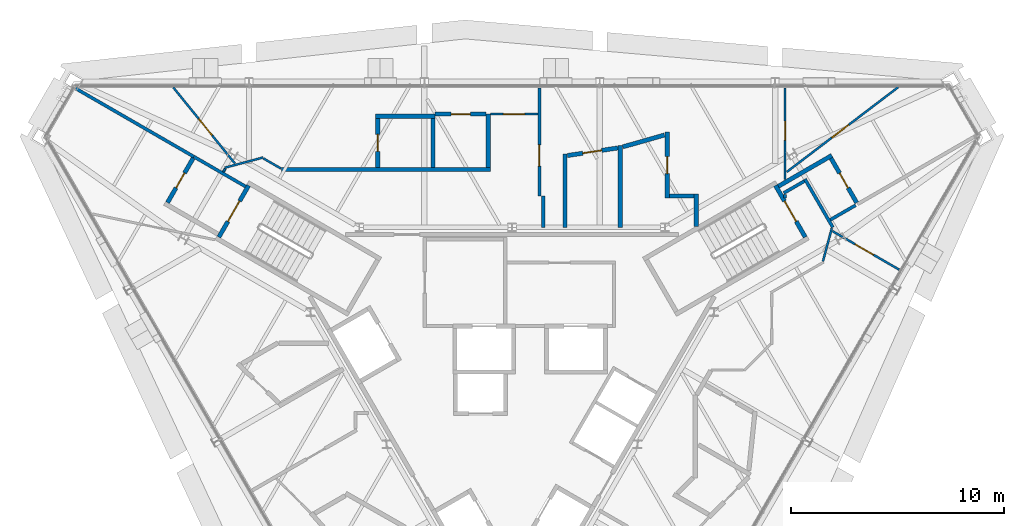
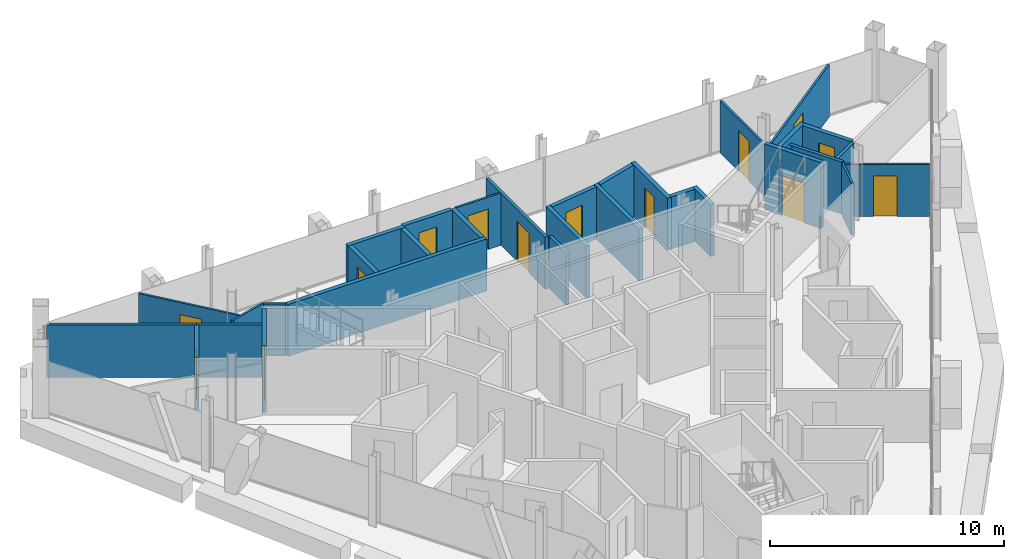
# One storey, part 10 of 13: 35 walls, 14 doors, 14 openings.
"""IFC4 building model written with IfcOpenShell, lengths in metres."""

from ifc_helpers import new_model, si_unit, direction, frame, frame_2d, origin, place, context, subcontext, project, spatial, rectangle, extrude, material, layer, layer_set, type_object, element, fill, save


model = new_model("IFC4")

# Units and contexts
model_context = context("Model", 3, precision=1e-05, world=origin(), true_north=direction((0.0, 1.0)))
body_context = subcontext(model_context, "Body", "Model", "MODEL_VIEW")
ifc_project = project(units=[si_unit("LENGTHUNIT", "METRE"), si_unit("AREAUNIT", "SQUARE_METRE"), si_unit("VOLUMEUNIT", "CUBIC_METRE"), si_unit("PLANEANGLEUNIT", "RADIAN"), si_unit("MASSUNIT", "GRAM", prefix="KILO")], contexts=[model_context])

# Site, building, storey
site_placement = place(None, origin())
site = spatial("IfcSite", under=ifc_project, at=site_placement, CompositionType="ELEMENT")
building_placement = place(site_placement, origin())
building = spatial("IfcBuilding", under=site, at=building_placement, Name="Verrane Prism Tower", CompositionType="ELEMENT")
storey_placement = place(building_placement, frame((0.0, 0.0, 289.89990234375)))
storey = spatial("IfcBuildingStorey", under=building, at=storey_placement, Name="L73", CompositionType="ELEMENT", Elevation=289.89990234375)

# Wall, opening, door
ifc_material_1 = material(Name="Concrete C40/50", Category="concrete")
ifc_layer_1 = layer(ifc_material_1, 0.199951171875)
ifc_layer_set_1 = layer_set([ifc_layer_1], Name="CW-200 stair core wall concrete C40/50 3 h")
wall_type_1 = type_object("IfcWallType", Name="CW-200 stair core wall concrete C40/50 3 h", PredefinedType="PARTITIONING", material=ifc_layer_set_1)
wall_1_placement = place(storey_placement, frame((13.777099609375, 6.337646484375, 0.0), z_axis=(0.0, 0.0, 1.0), x_axis=(-0.500049511043, 0.865996816683, 0.0)))
wall_1 = element("IfcWall", 1, at=wall_1_placement, inside=storey, type_object=wall_type_1, Name="Stair 1 enclosure wall", PredefinedType="PARTITIONING", context=body_context, shape_type="SweptSolid", body=[
    extrude(rectangle(XDim=2.800048828125, YDim=0.199951171875, at=frame_2d((1.39990234375, 0.0))), origin(), (0.0, 0.0, 1.0), 3.4501953125),
])
opening_1_placement = place(wall_1_placement, frame((0.849853515625, 0.0, 0.0)))
opening_1 = element("IfcOpeningElement", 2, at=opening_1_placement, cuts=wall_1, Name="Opening D72500", PredefinedType="OPENING", context=body_context, shape_type="SweptSolid", body=[
    extrude(rectangle(XDim=1.10009765625, YDim=2.10009765625, at=frame_2d((0.550048828125, 1.050048828125))), frame((0.0, 0.10986328125, 0.0), z_axis=(0.0, -1.0, 0.0), x_axis=(1.0, 0.0, 0.0)), (0.0, 0.0, 1.0), 0.219970703125),
])
ifc_material_2 = material(Name="Timber veneered door leaf", Category="wood")
door_type_1 = type_object("IfcDoorType", Name="DR-1100x2100 FD90 single leaf stair", OperationType="NOTDEFINED", PredefinedType="DOOR", material=ifc_material_2)
door_1_placement = place(opening_1_placement, origin())
door_1 = element("IfcDoor", 3, at=door_1_placement, inside=storey, type_object=door_type_1, Name="Stair 1 door", OperationType="SINGLE_SWING_LEFT", OverallHeight=2.10009765625, OverallWidth=1.10009765625, PredefinedType="DOOR", context=body_context, shape_type="SweptSolid", body=[
    extrude(rectangle(XDim=1.10009765625, YDim=2.10009765625, at=frame_2d((0.550048828125, 1.050048828125))), frame((0.0, 0.02490234375, 0.0), z_axis=(0.0, -1.0, 0.0), x_axis=(1.0, 0.0, 0.0)), (0.0, 0.0, 1.0), 0.050048828125),
])
fill(opening_1, door_1)

wall_2_placement = place(storey_placement, frame((-12.376953125, 8.762451171875, 0.0), z_axis=(0.0, 0.0, 1.0), x_axis=(-0.500049511043, -0.865996816683, 0.0)))
wall_2 = element("IfcWall", 4, at=wall_2_placement, inside=storey, type_object=wall_type_1, Name="Stair 2 enclosure wall", PredefinedType="PARTITIONING", context=body_context, shape_type="SweptSolid", body=[
    extrude(rectangle(XDim=2.800048828125, YDim=0.199951171875, at=frame_2d((1.39990234375, 0.0))), origin(), (0.0, 0.0, 1.0), 3.4501953125),
])
opening_2_placement = place(wall_2_placement, frame((0.849853515625, 0.0, 0.0)))
opening_2 = element("IfcOpeningElement", 5, at=opening_2_placement, cuts=wall_2, Name="Opening D72501", PredefinedType="OPENING", context=body_context, shape_type="SweptSolid", body=[
    extrude(rectangle(XDim=1.10009765625, YDim=2.10009765625, at=frame_2d((0.550048828125, 1.050048828125))), frame((0.0, 0.10986328125, 0.0), z_axis=(0.0, -1.0, 0.0), x_axis=(1.0, 0.0, 0.0)), (0.0, 0.0, 1.0), 0.219970703125),
])
door_2_placement = place(opening_2_placement, origin())
door_2 = element("IfcDoor", 6, at=door_2_placement, inside=storey, type_object=door_type_1, Name="Stair 2 door", OperationType="SINGLE_SWING_RIGHT", OverallHeight=2.10009765625, OverallWidth=1.10009765625, PredefinedType="DOOR", context=body_context, shape_type="SweptSolid", body=[
    extrude(rectangle(XDim=1.10009765625, YDim=2.10009765625, at=frame_2d((0.550048828125, 1.050048828125))), frame((0.0, 0.02490234375, 0.0), z_axis=(0.0, -1.0, 0.0), x_axis=(1.0, 0.0, 0.0)), (0.0, 0.0, 1.0), 0.050048828125),
])
fill(opening_2, door_2)

ifc_material_3 = material(Name="Gypsum board partition", Category="other")
ifc_layer_2 = layer(ifc_material_3, 0.10009765625)
ifc_layer_set_2 = layer_set([ifc_layer_2], Name="PW-100 room partition")
wall_type_2 = type_object("IfcWallType", Name="PW-100 room partition", PredefinedType="PARTITIONING", material=ifc_layer_set_2)
wall_3_placement = place(storey_placement, frame((-13.021484375, 9.796875, 0.0), z_axis=(0.0, 0.0, 1.0), x_axis=(-0.629738754572, 0.776806990822, 0.0)))
wall_3 = element("IfcWall", 7, at=wall_3_placement, inside=storey, type_object=wall_type_2, Name="Room partition 005", PredefinedType="PARTITIONING", context=body_context, shape_type="SweptSolid", body=[
    extrude(rectangle(XDim=4.598388671875, YDim=0.10009765625, at=frame_2d((2.29931640625, 0.0))), origin(), (0.0, 0.0, 1.0), 2.72314453125),
])
opening_3_placement = place(wall_3_placement, frame((1.705810546875, 0.0, 0.0)))
opening_3 = element("IfcOpeningElement", 8, at=opening_3_placement, cuts=wall_3, Name="Opening D72017", PredefinedType="OPENING", context=body_context, shape_type="SweptSolid", body=[
    extrude(rectangle(XDim=1.0, YDim=2.10009765625, at=frame_2d((0.5, 1.050048828125))), frame((0.0, 0.06005859375, 0.0), z_axis=(0.0, -1.0, 0.0), x_axis=(1.0, 0.0, 0.0)), (0.0, 0.0, 1.0), 0.1201171875),
])
ifc_material_4 = material(Name="Timber veneered door leaf", Category="wood")
door_type_2 = type_object("IfcDoorType", Name="DR-1000x2100 single leaf inner", OperationType="NOTDEFINED", PredefinedType="DOOR", material=ifc_material_4)
door_3_placement = place(opening_3_placement, origin())
door_3 = element("IfcDoor", 9, at=door_3_placement, inside=storey, type_object=door_type_2, Name="Living And Dining Room door", OperationType="SINGLE_SWING_RIGHT", OverallHeight=2.10009765625, OverallWidth=1.0, PredefinedType="DOOR", context=body_context, shape_type="SweptSolid", body=[
    extrude(rectangle(XDim=1.0, YDim=2.10009765625, at=frame_2d((0.5, 1.050048828125))), frame((0.0, 0.02490234375, 0.0), z_axis=(0.0, -1.0, 0.0), x_axis=(1.0, 0.0, 0.0)), (0.0, 0.0, 1.0), 0.050048828125),
])
fill(opening_3, door_3)

# Walls
wall_4_placement = place(storey_placement, frame((-13.5654296875, 9.404052734375, 0.0), z_axis=(0.0, 0.0, 1.0), x_axis=(0.500181256421, 0.865920730047, 0.0)))
element("IfcWall", 10, at=wall_4_placement, inside=storey, type_object=wall_type_2, Name="Room partition 007", PredefinedType="PARTITIONING", context=body_context, shape_type="SweptSolid", body=[
    extrude(rectangle(XDim=0.1689453125, YDim=0.10009765625, at=frame_2d((0.08447265625, 0.0))), origin(), (0.0, 0.0, 1.0), 2.72314453125),
])
wall_5_placement = place(storey_placement, frame((-13.494384765625, 9.59814453125, 0.0), z_axis=(0.0, 0.0, 1.0), x_axis=(0.96601104623, 0.258500790254, 0.0)))
element("IfcWall", 11, at=wall_5_placement, inside=storey, type_object=wall_type_2, Name="Room partition 008", PredefinedType="PARTITIONING", context=body_context, shape_type="SweptSolid", body=[
    extrude(rectangle(XDim=1.8671875, YDim=0.10009765625, at=frame_2d((0.93359375, 0.0))), origin(), (0.0, 0.0, 1.0), 2.72314453125),
])
wall_6_placement = place(storey_placement, frame((-11.678466796875, 10.032958984375, 0.0), z_axis=(0.0, 0.0, 1.0), x_axis=(0.866116627388, -0.499841962787, 0.0)))
element("IfcWall", 12, at=wall_6_placement, inside=storey, type_object=wall_type_2, Name="Room partition 012", PredefinedType="PARTITIONING", context=body_context, shape_type="SweptSolid", body=[
    extrude(rectangle(XDim=0.943115234375, YDim=0.10009765625, at=frame_2d((0.4716796875, 0.0))), origin(), (0.0, 0.0, 1.0), 2.72314453125),
])

# Wall, opening, door
wall_7_placement = place(storey_placement, frame((-1.013916015625, 12.118896484375, 0.0), z_axis=(0.0, 0.0, 1.0), x_axis=(1.0, 0.0, 0.0)))
wall_7 = element("IfcWall", 13, at=wall_7_placement, inside=storey, type_object=wall_type_2, Name="Room partition 040", PredefinedType="PARTITIONING", context=body_context, shape_type="SweptSolid", body=[
    extrude(rectangle(XDim=2.224853515625, YDim=0.10009765625, at=frame_2d((1.1123046875, 0.0))), origin(), (0.0, 0.0, 1.0), 2.72314453125),
])
opening_4_placement = place(wall_7_placement, frame((0.60498046875, 0.0, 0.0)))
opening_4 = element("IfcOpeningElement", 14, at=opening_4_placement, cuts=wall_7, Name="Opening D72015", PredefinedType="OPENING", context=body_context, shape_type="SweptSolid", body=[
    extrude(rectangle(XDim=1.0, YDim=2.10009765625, at=frame_2d((0.5, 1.050048828125))), frame((0.0, 0.06005859375, 0.0), z_axis=(0.0, -1.0, 0.0), x_axis=(1.0, 0.0, 0.0)), (0.0, 0.0, 1.0), 0.1201171875),
])
door_4_placement = place(opening_4_placement, origin())
door_4 = element("IfcDoor", 15, at=door_4_placement, inside=storey, type_object=door_type_2, Name="Entrance Foyer door", OperationType="SINGLE_SWING_LEFT", OverallHeight=2.10009765625, OverallWidth=1.0, PredefinedType="DOOR", context=body_context, shape_type="SweptSolid", body=[
    extrude(rectangle(XDim=1.0, YDim=2.10009765625, at=frame_2d((0.5, 1.050048828125))), frame((0.0, 0.02490234375, 0.0), z_axis=(0.0, -1.0, 0.0), x_axis=(1.0, 0.0, 0.0)), (0.0, 0.0, 1.0), 0.050048828125),
])
fill(opening_4, door_4)

wall_8_placement = place(storey_placement, frame((12.8310546875, 13.35107421875, 0.0), z_axis=(0.0, 0.0, 1.0), x_axis=(0.0, -1.0, 0.0)))
wall_8 = element("IfcWall", 16, at=wall_8_placement, inside=storey, type_object=wall_type_2, Name="Room partition 075", PredefinedType="PARTITIONING", context=body_context, shape_type="SweptSolid", body=[
    extrude(rectangle(XDim=4.297607421875, YDim=0.10009765625, at=frame_2d((2.14892578125, 0.0))), origin(), (0.0, 0.0, 1.0), 2.72314453125),
])
opening_5_placement = place(wall_8_placement, frame((1.56005859375, 0.0, 0.0)))
opening_5 = element("IfcOpeningElement", 17, at=opening_5_placement, cuts=wall_8, Name="Opening D72009", PredefinedType="OPENING", context=body_context, shape_type="SweptSolid", body=[
    extrude(rectangle(XDim=0.89990234375, YDim=2.10009765625, at=frame_2d((0.449951171875, 1.050048828125))), frame((0.0, 0.06005859375, 0.0), z_axis=(0.0, -1.0, 0.0), x_axis=(1.0, 0.0, 0.0)), (0.0, 0.0, 1.0), 0.1201171875),
])
ifc_material_5 = material(Name="Timber veneered door leaf", Category="wood")
door_type_3 = type_object("IfcDoorType", Name="DR-900x2100 single leaf inner", OperationType="NOTDEFINED", PredefinedType="DOOR", material=ifc_material_5)
door_5_placement = place(opening_5_placement, origin())
door_5 = element("IfcDoor", 18, at=door_5_placement, inside=storey, type_object=door_type_3, Name="Living And Dining Room door", OperationType="SINGLE_SWING_RIGHT", OverallHeight=2.10009765625, OverallWidth=0.89990234375, PredefinedType="DOOR", context=body_context, shape_type="SweptSolid", body=[
    extrude(rectangle(XDim=0.89990234375, YDim=2.10009765625, at=frame_2d((0.449951171875, 1.050048828125))), frame((0.0, 0.02490234375, 0.0), z_axis=(0.0, -1.0, 0.0), x_axis=(1.0, 0.0, 0.0)), (0.0, 0.0, 1.0), 0.050048828125),
])
fill(opening_5, door_5)

wall_9_placement = place(storey_placement, frame((18.1435546875, 13.382568359375, 0.0), z_axis=(0.0, 0.0, 1.0), x_axis=(-0.795867985115, -0.605470189414, 0.0)))
wall_9 = element("IfcWall", 19, at=wall_9_placement, inside=storey, type_object=wall_type_2, Name="Room partition 076", PredefinedType="PARTITIONING", context=body_context, shape_type="SweptSolid", body=[
    extrude(rectangle(XDim=6.57421875, YDim=0.10009765625, at=frame_2d((3.287109375, 0.0))), origin(), (0.0, 0.0, 1.0), 2.72314453125),
])
opening_6_placement = place(wall_9_placement, frame((2.925048828125, 0.0, 0.0)))
opening_6 = element("IfcOpeningElement", 20, at=opening_6_placement, cuts=wall_9, Name="Opening D72013", PredefinedType="OPENING", context=body_context, shape_type="SweptSolid", body=[
    extrude(rectangle(XDim=1.0, YDim=2.10009765625, at=frame_2d((0.5, 1.050048828125))), frame((0.0, 0.06005859375, 0.0), z_axis=(0.0, -1.0, 0.0), x_axis=(1.0, 0.0, 0.0)), (0.0, 0.0, 1.0), 0.1201171875),
])
door_6_placement = place(opening_6_placement, origin())
door_6 = element("IfcDoor", 21, at=door_6_placement, inside=storey, type_object=door_type_2, Name="Study door", OperationType="SINGLE_SWING_RIGHT", OverallHeight=2.10009765625, OverallWidth=1.0, PredefinedType="DOOR", context=body_context, shape_type="SweptSolid", body=[
    extrude(rectangle(XDim=1.0, YDim=2.10009765625, at=frame_2d((0.5, 1.050048828125))), frame((0.0, 0.02490234375, 0.0), z_axis=(0.0, -1.0, 0.0), x_axis=(1.0, 0.0, 0.0)), (0.0, 0.0, 1.0), 0.050048828125),
])
fill(opening_6, door_6)

# Wall
wall_10_placement = place(storey_placement, frame((14.607177734375, 5.19970703125, 0.0), z_axis=(0.0, 0.0, 1.0), x_axis=(0.258589257768, 0.965987368327, 0.0)))
element("IfcWall", 22, at=wall_10_placement, inside=storey, type_object=wall_type_2, Name="Room partition 078", PredefinedType="PARTITIONING", context=body_context, shape_type="SweptSolid", body=[
    extrude(rectangle(XDim=1.60693359375, YDim=0.10009765625, at=frame_2d((0.803466796875, 0.0))), origin(), (0.0, 0.0, 1.0), 2.72314453125),
])

# Wall, opening, door
wall_11_placement = place(storey_placement, frame((15.052490234375, 6.620361328125, 0.0), z_axis=(0.0, 0.0, 1.0), x_axis=(0.866029693906, -0.499992569217, 0.0)))
wall_11 = element("IfcWall", 23, at=wall_11_placement, inside=storey, type_object=wall_type_2, Name="Room partition 081", PredefinedType="PARTITIONING", context=body_context, shape_type="SweptSolid", body=[
    extrude(rectangle(XDim=3.625, YDim=0.10009765625, at=frame_2d((1.8125, 0.0))), origin(), (0.0, 0.0, 1.0), 2.72314453125),
])
opening_7_placement = place(wall_11_placement, frame((1.23486328125, 0.0, 0.0)))
opening_7 = element("IfcOpeningElement", 24, at=opening_7_placement, cuts=wall_11, Name="Opening D72007", PredefinedType="OPENING", context=body_context, shape_type="SweptSolid", body=[
    extrude(rectangle(XDim=1.0, YDim=2.10009765625, at=frame_2d((0.5, 1.050048828125))), frame((0.0, 0.06005859375, 0.0), z_axis=(0.0, -1.0, 0.0), x_axis=(1.0, 0.0, 0.0)), (0.0, 0.0, 1.0), 0.1201171875),
])
door_7_placement = place(opening_7_placement, origin())
door_7 = element("IfcDoor", 25, at=door_7_placement, inside=storey, type_object=door_type_2, Name="Living And Dining Room door", OperationType="SINGLE_SWING_LEFT", OverallHeight=2.10009765625, OverallWidth=1.0, PredefinedType="DOOR", context=body_context, shape_type="SweptSolid", body=[
    extrude(rectangle(XDim=1.0, YDim=2.10009765625, at=frame_2d((0.5, 1.050048828125))), frame((0.0, 0.02490234375, 0.0), z_axis=(0.0, -1.0, 0.0), x_axis=(1.0, 0.0, 0.0)), (0.0, 0.0, 1.0), 0.050048828125),
])
fill(opening_7, door_7)

# Walls
ifc_material_6 = material(Name="Gypsum board partition", Category="other")
ifc_layer_3 = layer(ifc_material_6, 0.14990234375)
ifc_layer_set_3 = layer_set([ifc_layer_3], Name="PW-150 demising wall 1 h")
wall_type_3 = type_object("IfcWallType", Name="PW-150 demising wall 1 h", PredefinedType="PARTITIONING", material=ifc_layer_set_3)
wall_12_placement = place(storey_placement, frame((-20.505859375, 13.323974609375, 0.0), z_axis=(0.0, 0.0, 1.0), x_axis=(0.866004971522, -0.500035388047, 0.0)))
element("IfcWall", 26, at=wall_12_placement, inside=storey, type_object=wall_type_3, Name="Demising wall 001", PredefinedType="PARTITIONING", context=body_context, shape_type="SweptSolid", body=[
    extrude(rectangle(XDim=6.41552734375, YDim=0.14990234375, at=frame_2d((3.207763671875, 0.0))), origin(), (0.0, 0.0, 1.0), 2.72314453125),
])
wall_13_placement = place(storey_placement, frame((-14.945068359375, 10.114013671875, 0.0), z_axis=(0.0, 0.0, 1.0), x_axis=(0.865969158485, -0.500097407065, 0.0)))
element("IfcWall", 27, at=wall_13_placement, inside=storey, type_object=wall_type_3, Name="Demising wall 006", PredefinedType="PARTITIONING", context=body_context, shape_type="SweptSolid", body=[
    extrude(rectangle(XDim=2.79931640625, YDim=0.14990234375, at=frame_2d((1.399658203125, 0.0))), origin(), (0.0, 0.0, 1.0), 2.72314453125),
])

# Wall, opening, door
wall_14_placement = place(storey_placement, frame((1.285888671875, 13.35107421875, 0.0), z_axis=(0.0, 0.0, 1.0), x_axis=(0.0, -1.0, 0.0)))
wall_14 = element("IfcWall", 28, at=wall_14_placement, inside=storey, type_object=wall_type_3, Name="Demising wall 042", PredefinedType="PARTITIONING", context=body_context, shape_type="SweptSolid", body=[
    extrude(rectangle(XDim=5.08203125, YDim=0.14990234375, at=frame_2d((2.541015625, 0.0))), origin(), (0.0, 0.0, 1.0), 2.72314453125),
])
opening_8_placement = place(wall_14_placement, frame((2.681884765625, 0.0, 0.0)))
opening_8 = element("IfcOpeningElement", 29, at=opening_8_placement, cuts=wall_14, Name="Opening D72011", PredefinedType="OPENING", context=body_context, shape_type="SweptSolid", body=[
    extrude(rectangle(XDim=1.0, YDim=2.10009765625, at=frame_2d((0.5, 1.050048828125))), frame((0.0, 0.0849609375, 0.0), z_axis=(0.0, -1.0, 0.0), x_axis=(1.0, 0.0, 0.0)), (0.0, 0.0, 1.0), 0.169921875),
])
ifc_material_7 = material(Name="Timber veneered door leaf", Category="wood")
door_type_4 = type_object("IfcDoorType", Name="DR-1000x2100 FD20 single leaf inner", OperationType="NOTDEFINED", PredefinedType="DOOR", material=ifc_material_7)
door_8_placement = place(opening_8_placement, origin())
door_8 = element("IfcDoor", 30, at=door_8_placement, inside=storey, type_object=door_type_4, Name="Entrance Foyer door", OperationType="SINGLE_SWING_RIGHT", OverallHeight=2.10009765625, OverallWidth=1.0, PredefinedType="DOOR", context=body_context, shape_type="SweptSolid", body=[
    extrude(rectangle(XDim=1.0, YDim=2.10009765625, at=frame_2d((0.5, 1.050048828125))), frame((0.0, 0.02490234375, 0.0), z_axis=(0.0, -1.0, 0.0), x_axis=(1.0, 0.0, 0.0)), (0.0, 0.0, 1.0), 0.050048828125),
])
fill(opening_8, door_8)

# Walls
wall_15_placement = place(storey_placement, frame((1.468994140625, 6.800048828125, 0.0), z_axis=(0.0, 0.0, 1.0), x_axis=(0.0, 1.0, 0.0)))
element("IfcWall", 31, at=wall_15_placement, inside=storey, type_object=wall_type_3, Name="Demising wall 044", PredefinedType="PARTITIONING", context=body_context, shape_type="SweptSolid", body=[
    extrude(rectangle(XDim=1.468994140625, YDim=0.14990234375, at=frame_2d((0.734375, 0.0))), origin(), (0.0, 0.0, 1.0), 2.72314453125),
])
wall_16_placement = place(storey_placement, frame((12.8310546875, 8.177001953125, 0.0), z_axis=(0.0, 0.0, 1.0), x_axis=(0.0, 1.0, 0.0)))
element("IfcWall", 32, at=wall_16_placement, inside=storey, type_object=wall_type_3, Name="Demising wall 073", PredefinedType="PARTITIONING", context=body_context, shape_type="SweptSolid", body=[
    extrude(rectangle(XDim=0.169921875, YDim=0.14990234375, at=frame_2d((0.0849609375, 0.0))), origin(), (0.0, 0.0, 1.0), 2.72314453125),
])
wall_17_placement = place(storey_placement, frame((12.76611328125, 8.409423828125, 0.0), z_axis=(0.0, 0.0, 1.0), x_axis=(0.865995823051, 0.500051231833, 0.0)))
element("IfcWall", 33, at=wall_17_placement, inside=storey, type_object=wall_type_3, Name="Demising wall 074", PredefinedType="PARTITIONING", context=body_context, shape_type="SweptSolid", body=[
    extrude(rectangle(XDim=1.1142578125, YDim=0.14990234375, at=frame_2d((0.55712890625, 0.0))), origin(), (0.0, 0.0, 1.0), 2.72314453125),
])
wall_18_placement = place(storey_placement, frame((13.758544921875, 9.06884765625, 0.0), z_axis=(0.0, 0.0, 1.0), x_axis=(0.500020344131, -0.866013657776, 0.0)))
element("IfcWall", 34, at=wall_18_placement, inside=storey, type_object=wall_type_3, Name="Demising wall 077", PredefinedType="PARTITIONING", context=body_context, shape_type="SweptSolid", body=[
    extrude(rectangle(XDim=2.625, YDim=0.14990234375, at=frame_2d((1.3125, 0.0))), origin(), (0.0, 0.0, 1.0), 2.72314453125),
])
wall_19_placement = place(storey_placement, frame((14.953857421875, 7.1494140625, 0.0), z_axis=(0.0, 0.0, 1.0), x_axis=(0.865960792519, 0.5001118933, 0.0)))
element("IfcWall", 35, at=wall_19_placement, inside=storey, type_object=wall_type_3, Name="Demising wall 079", PredefinedType="PARTITIONING", context=body_context, shape_type="SweptSolid", body=[
    extrude(rectangle(XDim=1.374755859375, YDim=0.14990234375, at=frame_2d((0.6875, 0.0))), origin(), (0.0, 0.0, 1.0), 2.72314453125),
])

# Wall, opening, door
ifc_material_8 = material(Name="Gypsum board partition", Category="other")
ifc_layer_4 = layer(ifc_material_8, 0.199951171875)
ifc_layer_set_4 = layer_set([ifc_layer_4], Name="PW-200 plumbing wall")
wall_type_4 = type_object("IfcWallType", Name="PW-200 plumbing wall", PredefinedType="PARTITIONING", material=ifc_layer_set_4)
wall_20_placement = place(storey_placement, frame((-14.985107421875, 10.044677734375, 0.0), z_axis=(0.0, 0.0, 1.0), x_axis=(-0.499903970786, -0.866080839178, 0.0)))
wall_20 = element("IfcWall", 36, at=wall_20_placement, inside=storey, type_object=wall_type_4, Name="Plumbing wall 003", PredefinedType="PARTITIONING", context=body_context, shape_type="SweptSolid", body=[
    extrude(rectangle(XDim=2.40625, YDim=0.199951171875, at=frame_2d((1.203125, 0.0))), origin(), (0.0, 0.0, 1.0), 2.72314453125),
])
opening_9_placement = place(wall_20_placement, frame((0.806396484375, 0.0, 0.0)))
opening_9 = element("IfcOpeningElement", 37, at=opening_9_placement, cuts=wall_20, Name="Opening D72022", PredefinedType="OPENING", context=body_context, shape_type="SweptSolid", body=[
    extrude(rectangle(XDim=0.800048828125, YDim=2.10009765625, at=frame_2d((0.39990234375, 1.050048828125))), frame((0.0, 0.10986328125, 0.0), z_axis=(0.0, -1.0, 0.0), x_axis=(1.0, 0.0, 0.0)), (0.0, 0.0, 1.0), 0.219970703125),
])
ifc_material_9 = material(Name="Timber veneered door leaf", Category="wood")
door_type_5 = type_object("IfcDoorType", Name="DR-800x2100 single leaf bath", OperationType="NOTDEFINED", PredefinedType="DOOR", material=ifc_material_9)
door_9_placement = place(opening_9_placement, origin())
door_9 = element("IfcDoor", 38, at=door_9_placement, inside=storey, type_object=door_type_5, Name="Master Bathroom door", OperationType="SINGLE_SWING_LEFT", OverallHeight=2.10009765625, OverallWidth=0.800048828125, PredefinedType="DOOR", context=body_context, shape_type="SweptSolid", body=[
    extrude(rectangle(XDim=0.800048828125, YDim=2.10009765625, at=frame_2d((0.39990234375, 1.050048828125))), frame((0.0, 0.02490234375, 0.0), z_axis=(0.0, -1.0, 0.0), x_axis=(1.0, 0.0, 0.0)), (0.0, 0.0, 1.0), 0.050048828125),
])
fill(opening_9, door_9)

# Wall
wall_21_placement = place(storey_placement, frame((-10.837890625, 9.51904296875, 0.0), z_axis=(0.0, 0.0, 1.0), x_axis=(1.0, 0.0, 0.0)))
element("IfcWall", 39, at=wall_21_placement, inside=storey, type_object=wall_type_4, Name="Plumbing wall 016", PredefinedType="PARTITIONING", context=body_context, shape_type="SweptSolid", body=[
    extrude(rectangle(XDim=9.823974609375, YDim=0.199951171875, at=frame_2d((4.912109375, 0.0))), origin(), (0.0, 0.0, 1.0), 2.72314453125),
])

# Wall, opening, door
wall_22_placement = place(storey_placement, frame((-6.31396484375, 11.9189453125, 0.0), z_axis=(0.0, 0.0, 1.0), x_axis=(0.0, -1.0, 0.0)))
wall_22 = element("IfcWall", 40, at=wall_22_placement, inside=storey, type_object=wall_type_4, Name="Plumbing wall 025", PredefinedType="PARTITIONING", context=body_context, shape_type="SweptSolid", body=[
    extrude(rectangle(XDim=2.300048828125, YDim=0.199951171875, at=frame_2d((1.14990234375, 0.0))), origin(), (0.0, 0.0, 1.0), 2.72314453125),
])
opening_10_placement = place(wall_22_placement, frame((0.75, 0.0, 0.0)))
opening_10 = element("IfcOpeningElement", 41, at=opening_10_placement, cuts=wall_22, Name="Opening D72018", PredefinedType="OPENING", context=body_context, shape_type="SweptSolid", body=[
    extrude(rectangle(XDim=0.800048828125, YDim=2.10009765625, at=frame_2d((0.39990234375, 1.050048828125))), frame((0.0, 0.10986328125, 0.0), z_axis=(0.0, -1.0, 0.0), x_axis=(1.0, 0.0, 0.0)), (0.0, 0.0, 1.0), 0.219970703125),
])
ifc_material_10 = material(Name="Timber veneered door leaf", Category="wood")
door_type_6 = type_object("IfcDoorType", Name="DR-800x2100 single leaf inner", OperationType="NOTDEFINED", PredefinedType="DOOR", material=ifc_material_10)
door_10_placement = place(opening_10_placement, origin())
door_10 = element("IfcDoor", 42, at=door_10_placement, inside=storey, type_object=door_type_6, Name="Bathroom door", OperationType="SINGLE_SWING_LEFT", OverallHeight=2.10009765625, OverallWidth=0.800048828125, PredefinedType="DOOR", context=body_context, shape_type="SweptSolid", body=[
    extrude(rectangle(XDim=0.800048828125, YDim=2.10009765625, at=frame_2d((0.39990234375, 1.050048828125))), frame((0.0, 0.02490234375, 0.0), z_axis=(0.0, -1.0, 0.0), x_axis=(1.0, 0.0, 0.0)), (0.0, 0.0, 1.0), 0.050048828125),
])
fill(opening_10, door_10)

# Walls
wall_23_placement = place(storey_placement, frame((-6.4140625, 12.01904296875, 0.0), z_axis=(0.0, 0.0, 1.0), x_axis=(1.0, 0.0, 0.0)))
element("IfcWall", 43, at=wall_23_placement, inside=storey, type_object=wall_type_4, Name="Plumbing wall 026", PredefinedType="PARTITIONING", context=body_context, shape_type="SweptSolid", body=[
    extrude(rectangle(XDim=2.800048828125, YDim=0.199951171875, at=frame_2d((1.39990234375, 0.0))), origin(), (0.0, 0.0, 1.0), 2.72314453125),
])
wall_24_placement = place(storey_placement, frame((-3.714111328125, 9.618896484375, 0.0), z_axis=(0.0, 0.0, 1.0), x_axis=(0.0, 1.0, 0.0)))
element("IfcWall", 44, at=wall_24_placement, inside=storey, type_object=wall_type_4, Name="Plumbing wall 031", PredefinedType="PARTITIONING", context=body_context, shape_type="SweptSolid", body=[
    extrude(rectangle(XDim=2.300048828125, YDim=0.199951171875, at=frame_2d((1.14990234375, 0.0))), origin(), (0.0, 0.0, 1.0), 2.72314453125),
])

# Wall, opening, door
wall_25_placement = place(storey_placement, frame((-1.214111328125, 12.118896484375, 0.0), z_axis=(0.0, 0.0, 1.0), x_axis=(-1.0, 0.0, 0.0)))
wall_25 = element("IfcWall", 45, at=wall_25_placement, inside=storey, type_object=wall_type_4, Name="Plumbing wall 032", PredefinedType="PARTITIONING", context=body_context, shape_type="SweptSolid", body=[
    extrude(rectangle(XDim=2.39990234375, YDim=0.199951171875, at=frame_2d((1.199951171875, 0.0))), origin(), (0.0, 0.0, 1.0), 2.72314453125),
])
opening_11_placement = place(wall_25_placement, frame((0.75, 0.0, 0.0)))
opening_11 = element("IfcOpeningElement", 46, at=opening_11_placement, cuts=wall_25, Name="Opening D72016", PredefinedType="OPENING", context=body_context, shape_type="SweptSolid", body=[
    extrude(rectangle(XDim=0.89990234375, YDim=2.10009765625, at=frame_2d((0.449951171875, 1.050048828125))), frame((0.0, 0.10986328125, 0.0), z_axis=(0.0, -1.0, 0.0), x_axis=(1.0, 0.0, 0.0)), (0.0, 0.0, 1.0), 0.219970703125),
])
door_11_placement = place(opening_11_placement, origin())
door_11 = element("IfcDoor", 47, at=door_11_placement, inside=storey, type_object=door_type_3, Name="Kitchen door", OperationType="SINGLE_SWING_LEFT", OverallHeight=2.10009765625, OverallWidth=0.89990234375, PredefinedType="DOOR", context=body_context, shape_type="SweptSolid", body=[
    extrude(rectangle(XDim=0.89990234375, YDim=2.10009765625, at=frame_2d((0.449951171875, 1.050048828125))), frame((0.0, 0.02490234375, 0.0), z_axis=(0.0, -1.0, 0.0), x_axis=(1.0, 0.0, 0.0)), (0.0, 0.0, 1.0), 0.050048828125),
])
fill(opening_11, door_11)

# Walls
wall_26_placement = place(storey_placement, frame((-1.114013671875, 9.618896484375, 0.0), z_axis=(0.0, 0.0, 1.0), x_axis=(0.0, 1.0, 0.0)))
element("IfcWall", 48, at=wall_26_placement, inside=storey, type_object=wall_type_4, Name="Plumbing wall 039", PredefinedType="PARTITIONING", context=body_context, shape_type="SweptSolid", body=[
    extrude(rectangle(XDim=2.5, YDim=0.199951171875, at=frame_2d((1.25, 0.0))), origin(), (0.0, 0.0, 1.0), 2.72314453125),
])
wall_27_placement = place(storey_placement, frame((2.486083984375, 6.800048828125, 0.0), z_axis=(0.0, 0.0, 1.0), x_axis=(0.0, 1.0, 0.0)))
element("IfcWall", 49, at=wall_27_placement, inside=storey, type_object=wall_type_4, Name="Plumbing wall 047", PredefinedType="PARTITIONING", context=body_context, shape_type="SweptSolid", body=[
    extrude(rectangle(XDim=3.452880859375, YDim=0.199951171875, at=frame_2d((1.7265625, 0.0))), origin(), (0.0, 0.0, 1.0), 2.72314453125),
])

# Wall, opening, door
wall_28_placement = place(storey_placement, frame((4.97216796875, 10.52783203125, 0.0), z_axis=(0.0, 0.0, 1.0), x_axis=(-0.988827119235, -0.149066858374, 0.0)))
wall_28 = element("IfcWall", 50, at=wall_28_placement, inside=storey, type_object=wall_type_4, Name="Plumbing wall 048", PredefinedType="PARTITIONING", context=body_context, shape_type="SweptSolid", body=[
    extrude(rectangle(XDim=2.3994140625, YDim=0.199951171875, at=frame_2d((1.19970703125, 0.0))), origin(), (0.0, 0.0, 1.0), 2.72314453125),
])
opening_12_placement = place(wall_28_placement, frame((0.764404296875, 0.0, 0.0)))
opening_12 = element("IfcOpeningElement", 51, at=opening_12_placement, cuts=wall_28, Name="Opening D72012", PredefinedType="OPENING", context=body_context, shape_type="SweptSolid", body=[
    extrude(rectangle(XDim=0.89990234375, YDim=2.10009765625, at=frame_2d((0.449951171875, 1.050048828125))), frame((0.0, 0.10986328125, 0.0), z_axis=(0.0, -1.0, 0.0), x_axis=(1.0, 0.0, 0.0)), (0.0, 0.0, 1.0), 0.219970703125),
])
door_12_placement = place(opening_12_placement, origin())
door_12 = element("IfcDoor", 52, at=door_12_placement, inside=storey, type_object=door_type_3, Name="Kitchen door", OperationType="SINGLE_SWING_LEFT", OverallHeight=2.10009765625, OverallWidth=0.89990234375, PredefinedType="DOOR", context=body_context, shape_type="SweptSolid", body=[
    extrude(rectangle(XDim=0.89990234375, YDim=2.10009765625, at=frame_2d((0.449951171875, 1.050048828125))), frame((0.0, 0.02490234375, 0.0), z_axis=(0.0, -1.0, 0.0), x_axis=(1.0, 0.0, 0.0)), (0.0, 0.0, 1.0), 0.050048828125),
])
fill(opening_12, door_12)

# Walls
wall_29_placement = place(storey_placement, frame((5.0859375, 6.800048828125, 0.0), z_axis=(0.0, 0.0, 1.0), x_axis=(0.0, 1.0, 0.0)))
element("IfcWall", 53, at=wall_29_placement, inside=storey, type_object=wall_type_4, Name="Plumbing wall 054", PredefinedType="PARTITIONING", context=body_context, shape_type="SweptSolid", body=[
    extrude(rectangle(XDim=3.844970703125, YDim=0.199951171875, at=frame_2d((1.92236328125, 0.0))), origin(), (0.0, 0.0, 1.0), 2.72314453125),
])
wall_30_placement = place(storey_placement, frame((5.206298828125, 10.5791015625, 0.0), z_axis=(0.0, 0.0, 1.0), x_axis=(0.962043687615, 0.272895480212, 0.0)))
element("IfcWall", 54, at=wall_30_placement, inside=storey, type_object=wall_type_4, Name="Plumbing wall 055", PredefinedType="PARTITIONING", context=body_context, shape_type="SweptSolid", body=[
    extrude(rectangle(XDim=2.03173828125, YDim=0.199951171875, at=frame_2d((1.015869140625, 0.0))), origin(), (0.0, 0.0, 1.0), 2.72314453125),
])

# Wall, opening, door
wall_31_placement = place(storey_placement, frame((7.285888671875, 8.1689453125, 0.0), z_axis=(0.0, 0.0, 1.0), x_axis=(0.0, 1.0, 0.0)))
wall_31 = element("IfcWall", 55, at=wall_31_placement, inside=storey, type_object=wall_type_4, Name="Plumbing wall 056", PredefinedType="PARTITIONING", context=body_context, shape_type="SweptSolid", body=[
    extrude(rectangle(XDim=3.10009765625, YDim=0.199951171875, at=frame_2d((1.550048828125, 0.0))), origin(), (0.0, 0.0, 1.0), 2.72314453125),
])
opening_13_placement = place(wall_31_placement, frame((1.14990234375, 0.0, 0.0)))
opening_13 = element("IfcOpeningElement", 56, at=opening_13_placement, cuts=wall_31, Name="Opening D72010", PredefinedType="OPENING", context=body_context, shape_type="SweptSolid", body=[
    extrude(rectangle(XDim=0.800048828125, YDim=2.10009765625, at=frame_2d((0.39990234375, 1.050048828125))), frame((0.0, 0.10986328125, 0.0), z_axis=(0.0, -1.0, 0.0), x_axis=(1.0, 0.0, 0.0)), (0.0, 0.0, 1.0), 0.219970703125),
])
door_13_placement = place(opening_13_placement, origin())
door_13 = element("IfcDoor", 57, at=door_13_placement, inside=storey, type_object=door_type_6, Name="Powder Room door", OperationType="SINGLE_SWING_RIGHT", OverallHeight=2.10009765625, OverallWidth=0.800048828125, PredefinedType="DOOR", context=body_context, shape_type="SweptSolid", body=[
    extrude(rectangle(XDim=0.800048828125, YDim=2.10009765625, at=frame_2d((0.39990234375, 1.050048828125))), frame((0.0, 0.02490234375, 0.0), z_axis=(0.0, -1.0, 0.0), x_axis=(1.0, 0.0, 0.0)), (0.0, 0.0, 1.0), 0.050048828125),
])
fill(opening_13, door_13)

# Walls
wall_32_placement = place(storey_placement, frame((7.385986328125, 8.26904296875, 0.0), z_axis=(0.0, 0.0, 1.0), x_axis=(1.0, 0.0, 0.0)))
element("IfcWall", 58, at=wall_32_placement, inside=storey, type_object=wall_type_4, Name="Plumbing wall 057", PredefinedType="PARTITIONING", context=body_context, shape_type="SweptSolid", body=[
    extrude(rectangle(XDim=1.1630859375, YDim=0.199951171875, at=frame_2d((0.58154296875, 0.0))), origin(), (0.0, 0.0, 1.0), 2.72314453125),
])
wall_33_placement = place(storey_placement, frame((8.64892578125, 6.841064453125, 0.0), z_axis=(0.0, 0.0, 1.0), x_axis=(0.0, 1.0, 0.0)))
element("IfcWall", 59, at=wall_33_placement, inside=storey, type_object=wall_type_4, Name="Plumbing wall 064", PredefinedType="PARTITIONING", context=body_context, shape_type="SweptSolid", body=[
    extrude(rectangle(XDim=1.52783203125, YDim=0.199951171875, at=frame_2d((0.763916015625, 0.0))), origin(), (0.0, 0.0, 1.0), 2.72314453125),
])
wall_34_placement = place(storey_placement, frame((12.513916015625, 8.72607421875, 0.0), z_axis=(0.0, 0.0, 1.0), x_axis=(0.865969617579, 0.500096612097, 0.0)))
element("IfcWall", 60, at=wall_34_placement, inside=storey, type_object=wall_type_4, Name="Plumbing wall 072", PredefinedType="PARTITIONING", context=body_context, shape_type="SweptSolid", body=[
    extrude(rectangle(XDim=2.8994140625, YDim=0.199951171875, at=frame_2d((1.44970703125, 0.0))), origin(), (0.0, 0.0, 1.0), 2.72314453125),
])

# Wall, opening, door
wall_35_placement = place(storey_placement, frame((16.193603515625, 7.951904296875, 0.0), z_axis=(0.0, 0.0, 1.0), x_axis=(-0.500125724882, 0.865952804321, 0.0)))
wall_35 = element("IfcWall", 61, at=wall_35_placement, inside=storey, type_object=wall_type_4, Name="Plumbing wall 080", PredefinedType="PARTITIONING", context=body_context, shape_type="SweptSolid", body=[
    extrude(rectangle(XDim=2.41064453125, YDim=0.199951171875, at=frame_2d((1.205322265625, 0.0))), origin(), (0.0, 0.0, 1.0), 2.72314453125),
])
opening_14_placement = place(wall_35_placement, frame((0.810546875, 0.0, 0.0)))
opening_14 = element("IfcOpeningElement", 62, at=opening_14_placement, cuts=wall_35, Name="Opening D72014", PredefinedType="OPENING", context=body_context, shape_type="SweptSolid", body=[
    extrude(rectangle(XDim=0.800048828125, YDim=2.10009765625, at=frame_2d((0.39990234375, 1.050048828125))), frame((0.0, 0.10986328125, 0.0), z_axis=(0.0, -1.0, 0.0), x_axis=(1.0, 0.0, 0.0)), (0.0, 0.0, 1.0), 0.219970703125),
])
door_14_placement = place(opening_14_placement, origin())
door_14 = element("IfcDoor", 63, at=door_14_placement, inside=storey, type_object=door_type_5, Name="Master Bathroom door", OperationType="SINGLE_SWING_LEFT", OverallHeight=2.10009765625, OverallWidth=0.800048828125, PredefinedType="DOOR", context=body_context, shape_type="SweptSolid", body=[
    extrude(rectangle(XDim=0.800048828125, YDim=2.10009765625, at=frame_2d((0.39990234375, 1.050048828125))), frame((0.0, 0.02490234375, 0.0), z_axis=(0.0, -1.0, 0.0), x_axis=(1.0, 0.0, 0.0)), (0.0, 0.0, 1.0), 0.050048828125),
])
fill(opening_14, door_14)

save(model, "model.ifc")
